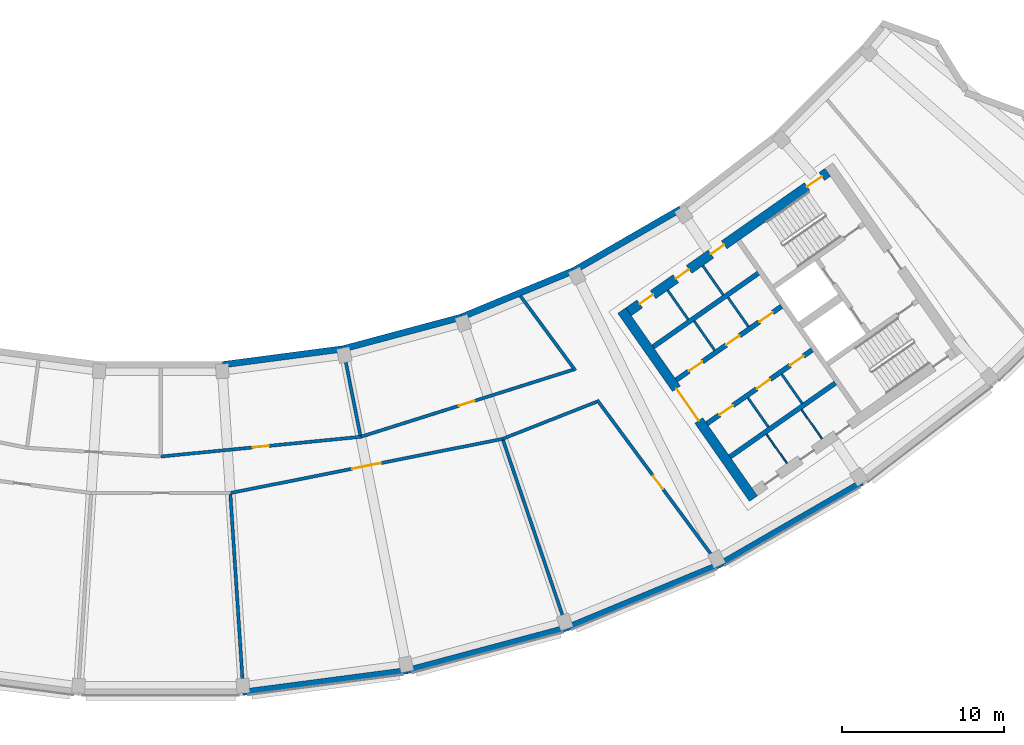
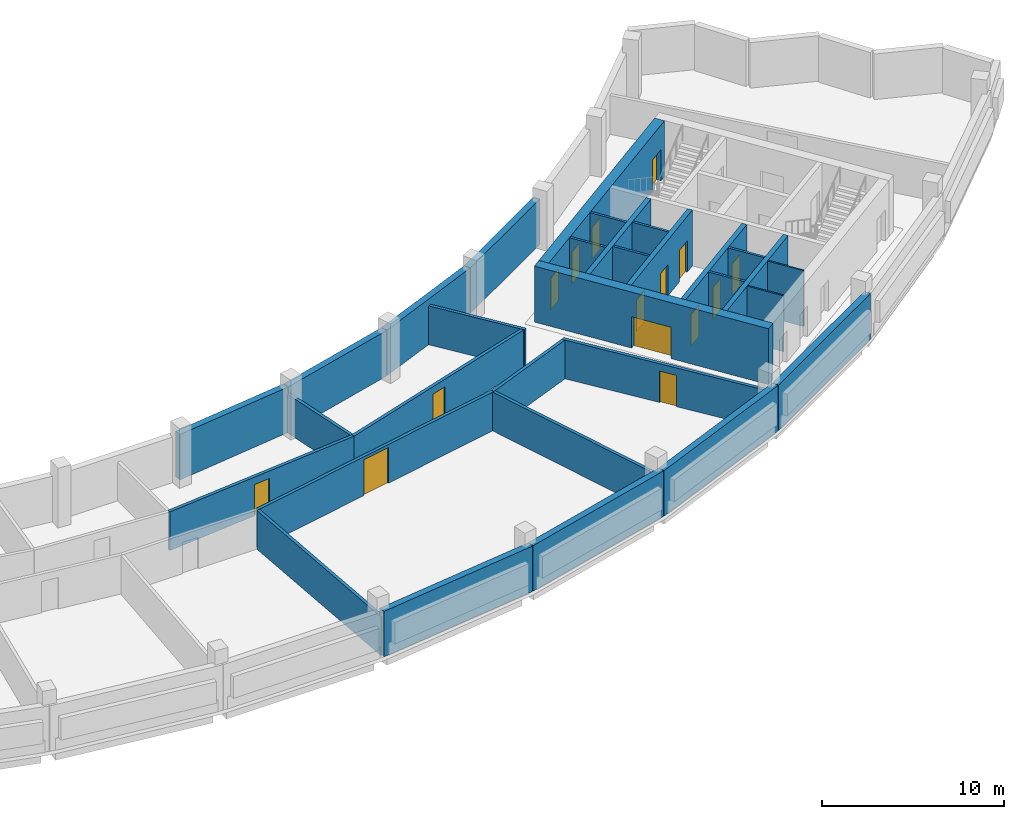
# One storey, part 5 of 11: 31 walls, 15 doors, 15 openings.
"""IFC4 building model written with IfcOpenShell, lengths in metres."""

from ifc_helpers import new_model, si_unit, direction, frame, frame_2d, origin, place, context, subcontext, project, spatial, rectangle, extrude, material, layer, layer_set, type_object, element, fill, save


model = new_model("IFC4")

# Units and contexts
model_context = context("Model", 3, precision=1e-05, world=origin(), true_north=direction((0.0, 1.0)))
body_context = subcontext(model_context, "Body", "Model", "MODEL_VIEW")
ifc_project = project(units=[si_unit("LENGTHUNIT", "METRE"), si_unit("AREAUNIT", "SQUARE_METRE"), si_unit("VOLUMEUNIT", "CUBIC_METRE"), si_unit("PLANEANGLEUNIT", "RADIAN"), si_unit("MASSUNIT", "GRAM", prefix="KILO")], contexts=[model_context])

# Site, building, storey
site_placement = place(None, origin())
site = spatial("IfcSite", under=ifc_project, at=site_placement, CompositionType="ELEMENT")
building_placement = place(site_placement, origin())
building = spatial("IfcBuilding", under=site, at=building_placement, Name="Qamariyya Broadcast Tower", CompositionType="ELEMENT")
storey_placement = place(building_placement, frame((0.0, 0.0, 314.699951171875)))
storey = spatial("IfcBuildingStorey", under=building, at=storey_placement, Name="L76", CompositionType="ELEMENT", Elevation=314.699951171875)

# Wall, opening, door
ifc_material_1 = material(Name="Concrete C60/75", Category="concrete")
ifc_layer_1 = layer(ifc_material_1, 0.60009765625)
ifc_layer_set_1 = layer_set([ifc_layer_1], Name="Core wall 600 mm Concrete C60/75")
wall_type_1 = type_object("IfcWallType", Name="Core wall 600 mm Concrete C60/75", PredefinedType="SHEAR", material=ifc_layer_set_1)
wall_1_placement = place(storey_placement, frame((36.66748046875, -66.005126953125, 0.0), z_axis=(0.0, 0.0, 1.0), x_axis=(-0.573568499524, 0.819157601658, 0.0)))
wall_1 = element("IfcWall", 1, at=wall_1_placement, inside=storey, type_object=wall_type_1, Name="k-E-L76-WA", PredefinedType="SHEAR", context=body_context, shape_type="SweptSolid", body=[
    extrude(rectangle(XDim=14.19970703125, YDim=0.60009765625, at=frame_2d((7.099853515625, 0.0))), origin(), (0.0, 0.0, 1.0), 3.75),
])
opening_1_placement = place(wall_1_placement, frame((5.89990234375, 0.0, 0.0)))
opening_1 = element("IfcOpeningElement", 2, at=opening_1_placement, cuts=wall_1, Name="Opening KD3-E1", PredefinedType="OPENING", context=body_context, shape_type="SweptSolid", body=[
    extrude(rectangle(XDim=2.39990234375, YDim=2.10009765625, at=frame_2d((1.199951171875, 1.050048828125))), frame((0.0, 0.31005859375, 0.0), z_axis=(0.0, -1.0, 0.0), x_axis=(1.0, 0.0, 0.0)), (0.0, 0.0, 1.0), 0.6201171875),
])
ifc_material_2 = material(Name="Steel fire-resisting door leaf", Category="steel")
door_type_1 = type_object("IfcDoorType", Name="Lift lobby door KD3", OperationType="DOUBLE_DOOR_SINGLE_SWING", PredefinedType="DOOR", material=ifc_material_2)
door_1_placement = place(opening_1_placement, origin())
door_1 = element("IfcDoor", 3, at=door_1_placement, inside=storey, type_object=door_type_1, Name="k-E-L76-WA-D1", OperationType="DOUBLE_DOOR_SINGLE_SWING", OverallHeight=2.10009765625, OverallWidth=2.39990234375, PredefinedType="DOOR", context=body_context, shape_type="SweptSolid", body=[
    extrude(rectangle(XDim=2.39990234375, YDim=2.10009765625, at=frame_2d((1.199951171875, 1.050048828125))), frame((0.0, 0.02490234375, 0.0), z_axis=(0.0, -1.0, 0.0), x_axis=(1.0, 0.0, 0.0)), (0.0, 0.0, 1.0), 0.050048828125),
])
fill(opening_1, door_1)

# Wall, openings, doors
wall_2_placement = place(storey_placement, frame((28.940673828125, -54.447021484375, 0.0), z_axis=(0.0, 0.0, 1.0), x_axis=(0.819153391756, 0.573574511963, 0.0)))
wall_2 = element("IfcWall", 4, at=wall_2_placement, inside=storey, type_object=wall_type_1, Name="k-E-L76-WI", PredefinedType="SHEAR", context=body_context, shape_type="SweptSolid", body=[
    extrude(rectangle(XDim=15.04541015625, YDim=0.60009765625, at=frame_2d((7.522705078125, 0.0))), origin(), (0.0, 0.0, 1.0), 3.75),
])
opening_2_placement = place(wall_2_placement, frame((0.85009765625, 0.0, 0.0)))
opening_2 = element("IfcOpeningElement", 5, at=opening_2_placement, cuts=wall_2, Name="Opening KD4-E7", PredefinedType="OPENING", context=body_context, shape_type="SweptSolid", body=[
    extrude(rectangle(XDim=1.0, YDim=2.10009765625, at=frame_2d((0.5, 1.050048828125))), frame((0.0, 0.31005859375, 0.0), z_axis=(0.0, -1.0, 0.0), x_axis=(1.0, 0.0, 0.0)), (0.0, 0.0, 1.0), 0.6201171875),
])
opening_3_placement = place(wall_2_placement, frame((3.574951171875, 0.0, 0.0)))
opening_3 = element("IfcOpeningElement", 6, at=opening_3_placement, cuts=wall_2, Name="Opening KD4-E8", PredefinedType="OPENING", context=body_context, shape_type="SweptSolid", body=[
    extrude(rectangle(XDim=1.0, YDim=2.10009765625, at=frame_2d((0.5, 1.050048828125))), frame((0.0, 0.31005859375, 0.0), z_axis=(0.0, -1.0, 0.0), x_axis=(1.0, 0.0, 0.0)), (0.0, 0.0, 1.0), 0.6201171875),
])
opening_4_placement = place(wall_2_placement, frame((6.22509765625, 0.0, 0.0)))
opening_4 = element("IfcOpeningElement", 7, at=opening_4_placement, cuts=wall_2, Name="Opening KD4-E9", PredefinedType="OPENING", context=body_context, shape_type="SweptSolid", body=[
    extrude(rectangle(XDim=1.0, YDim=2.10009765625, at=frame_2d((0.5, 1.050048828125))), frame((0.0, 0.31005859375, 0.0), z_axis=(0.0, -1.0, 0.0), x_axis=(1.0, 0.0, 0.0)), (0.0, 0.0, 1.0), 0.6201171875),
])
opening_5_placement = place(wall_2_placement, frame((13.495361328125, 0.0, 0.0)))
opening_5 = element("IfcOpeningElement", 8, at=opening_5_placement, cuts=wall_2, Name="Opening KD1-E1", PredefinedType="OPENING", context=body_context, shape_type="SweptSolid", body=[
    extrude(rectangle(XDim=1.10009765625, YDim=2.10009765625, at=frame_2d((0.550048828125, 1.050048828125))), frame((0.0, 0.31005859375, 0.0), z_axis=(0.0, -1.0, 0.0), x_axis=(1.0, 0.0, 0.0)), (0.0, 0.0, 1.0), 0.6201171875),
])
door_type_2 = type_object("IfcDoorType", Name="Riser and plant door KD4", OperationType="SINGLE_SWING_LEFT", PredefinedType="DOOR", material=ifc_material_2)
door_2_placement = place(opening_2_placement, origin())
door_2 = element("IfcDoor", 9, at=door_2_placement, inside=storey, type_object=door_type_2, Name="k-E-L76-WI-D8", OperationType="SINGLE_SWING_RIGHT", OverallHeight=2.10009765625, OverallWidth=1.0, PredefinedType="DOOR", context=body_context, shape_type="SweptSolid", body=[
    extrude(rectangle(XDim=1.0, YDim=2.10009765625, at=frame_2d((0.5, 1.050048828125))), frame((0.0, 0.02490234375, 0.0), z_axis=(0.0, -1.0, 0.0), x_axis=(1.0, 0.0, 0.0)), (0.0, 0.0, 1.0), 0.050048828125),
])
fill(opening_2, door_2)
door_3_placement = place(opening_3_placement, origin())
door_3 = element("IfcDoor", 10, at=door_3_placement, inside=storey, type_object=door_type_2, Name="k-E-L76-WI-D9", OperationType="SINGLE_SWING_LEFT", OverallHeight=2.10009765625, OverallWidth=1.0, PredefinedType="DOOR", context=body_context, shape_type="SweptSolid", body=[
    extrude(rectangle(XDim=1.0, YDim=2.10009765625, at=frame_2d((0.5, 1.050048828125))), frame((0.0, 0.02490234375, 0.0), z_axis=(0.0, -1.0, 0.0), x_axis=(1.0, 0.0, 0.0)), (0.0, 0.0, 1.0), 0.050048828125),
])
fill(opening_3, door_3)
door_4_placement = place(opening_4_placement, origin())
door_4 = element("IfcDoor", 11, at=door_4_placement, inside=storey, type_object=door_type_2, Name="k-E-L76-WI-D10", OperationType="SINGLE_SWING_RIGHT", OverallHeight=2.10009765625, OverallWidth=1.0, PredefinedType="DOOR", context=body_context, shape_type="SweptSolid", body=[
    extrude(rectangle(XDim=1.0, YDim=2.10009765625, at=frame_2d((0.5, 1.050048828125))), frame((0.0, 0.02490234375, 0.0), z_axis=(0.0, -1.0, 0.0), x_axis=(1.0, 0.0, 0.0)), (0.0, 0.0, 1.0), 0.050048828125),
])
fill(opening_4, door_4)
door_type_3 = type_object("IfcDoorType", Name="Stair door KD1", OperationType="SINGLE_SWING_LEFT", PredefinedType="DOOR", material=ifc_material_2)
door_5_placement = place(opening_5_placement, origin())
door_5 = element("IfcDoor", 12, at=door_5_placement, inside=storey, type_object=door_type_3, Name="k-E-L76-WI-D17", OperationType="SINGLE_SWING_RIGHT", OverallHeight=2.10009765625, OverallWidth=1.10009765625, PredefinedType="DOOR", context=body_context, shape_type="SweptSolid", body=[
    extrude(rectangle(XDim=1.10009765625, YDim=2.10009765625, at=frame_2d((0.550048828125, 1.050048828125))), frame((0.0, 0.02490234375, 0.0), z_axis=(0.0, -1.0, 0.0), x_axis=(1.0, 0.0, 0.0)), (0.0, 0.0, 1.0), 0.050048828125),
])
fill(opening_5, door_5)

# Walls
ifc_material_3 = material(Name="Gypsum board partition on steel studs", Category="steel")
ifc_layer_2 = layer(ifc_material_3, 0.14990234375)
ifc_layer_set_2 = layer_set([ifc_layer_2], Name="Gypsum board partition 150 mm")
wall_type_2 = type_object("IfcWallType", Name="Gypsum board partition 150 mm", PredefinedType="PARTITIONING", material=ifc_layer_set_2)
for number, where, z_axis, x_axis, name in (
    (13, (34.26611328125, -56.822021484375, 0.0), (0.0, 0.0, 1.0), (-0.573581496053, 0.819148501424, 0.0), "k-E-L76-NC300"),
    (14, (36.35498046875, -55.359375, 0.0), (0.0, 0.0, 1.0), (-0.573581496053, 0.819148501424, 0.0), "k-E-L76-NC555"),
):
    element("IfcWall", number, at=place(storey_placement, frame(where, z_axis=z_axis, x_axis=x_axis)), inside=storey, type_object=wall_type_2, Name=name, PredefinedType="PARTITIONING", context=body_context, shape_type="SweptSolid", body=[
        extrude(rectangle(XDim=2.2001953125, YDim=0.14990234375, at=frame_2d((1.10009765625, 0.0))), origin(), (0.0, 0.0, 1.0), 3.75),
    ])
for number, where, z_axis, x_axis, name in (
    (15, (36.330810546875, -59.77099609375, 0.0), (0.0, 0.0, 1.0), (0.573633636671, -0.819111989218, 0.0), "k-E-L76-SC300"),
    (16, (38.419677734375, -58.308349609375, 0.0), (0.0, 0.0, 1.0), (0.573633636671, -0.819111989218, 0.0), "k-E-L76-SC555"),
    (17, (32.627197265625, -54.91748046875, 0.0), (0.0, 0.0, 1.0), (-0.573507030513, 0.819200638399, 0.0), "k-E-L76-NP275"),
    (18, (34.798095703125, -53.3974609375, 0.0), (0.0, 0.0, 1.0), (-0.573633636671, 0.819111989218, 0.0), "k-E-L76-NP540"),
):
    element("IfcWall", number, at=place(storey_placement, frame(where, z_axis=z_axis, x_axis=x_axis)), inside=storey, type_object=wall_type_2, Name=name, PredefinedType="PARTITIONING", context=body_context, shape_type="SweptSolid", body=[
        extrude(rectangle(XDim=2.199951171875, YDim=0.14990234375, at=frame_2d((1.10009765625, 0.0))), origin(), (0.0, 0.0, 1.0), 3.75),
    ])

# Wall, openings, doors
ifc_layer_3 = layer(ifc_material_1, 0.300048828125)
ifc_layer_set_3 = layer_set([ifc_layer_3], Name="Lift shaft wall 300 mm Concrete C60/75")
wall_type_3 = type_object("IfcWallType", Name="Lift shaft wall 300 mm Concrete C60/75", PredefinedType="SOLIDWALL", material=ifc_layer_set_3)
wall_3_placement = place(storey_placement, frame((31.89453125, -58.66552734375, 0.0), z_axis=(0.0, 0.0, 1.0), x_axis=(0.819166993208, 0.573555086491, 0.0)))
wall_3 = element("IfcWall", 19, at=wall_3_placement, inside=storey, type_object=wall_type_3, Name="k-E-L76-NF0", PredefinedType="SOLIDWALL", context=body_context, shape_type="SweptSolid", body=[
    extrude(rectangle(XDim=7.9501953125, YDim=0.300048828125, at=frame_2d((3.97509765625, 0.0))), origin(), (0.0, 0.0, 1.0), 3.75),
])
opening_6_placement = place(wall_3_placement, frame((0.96240234375, 0.0, 0.0)))
opening_6 = element("IfcOpeningElement", 20, at=opening_6_placement, cuts=wall_3, Name="Opening KD4-E1", PredefinedType="OPENING", context=body_context, shape_type="SweptSolid", body=[
    extrude(rectangle(XDim=1.0, YDim=2.10009765625, at=frame_2d((0.5, 1.050048828125))), frame((0.0, 0.159912109375, 0.0), z_axis=(0.0, -1.0, 0.0), x_axis=(1.0, 0.0, 0.0)), (0.0, 0.0, 1.0), 0.320068359375),
])
opening_7_placement = place(wall_3_placement, frame((3.77490234375, 0.0, 0.0)))
opening_7 = element("IfcOpeningElement", 21, at=opening_7_placement, cuts=wall_3, Name="Opening KD4-E2", PredefinedType="OPENING", context=body_context, shape_type="SweptSolid", body=[
    extrude(rectangle(XDim=1.0, YDim=2.10009765625, at=frame_2d((0.5, 1.050048828125))), frame((0.0, 0.159912109375, 0.0), z_axis=(0.0, -1.0, 0.0), x_axis=(1.0, 0.0, 0.0)), (0.0, 0.0, 1.0), 0.320068359375),
])
opening_8_placement = place(wall_3_placement, frame((6.28759765625, 0.0, 0.0)))
opening_8 = element("IfcOpeningElement", 22, at=opening_8_placement, cuts=wall_3, Name="Opening KD4-E3", PredefinedType="OPENING", context=body_context, shape_type="SweptSolid", body=[
    extrude(rectangle(XDim=1.0, YDim=2.10009765625, at=frame_2d((0.5, 1.050048828125))), frame((0.0, 0.159912109375, 0.0), z_axis=(0.0, -1.0, 0.0), x_axis=(1.0, 0.0, 0.0)), (0.0, 0.0, 1.0), 0.320068359375),
])
door_6_placement = place(opening_6_placement, origin())
door_6 = element("IfcDoor", 23, at=door_6_placement, inside=storey, type_object=door_type_2, Name="k-E-L76-NF0-D2", OperationType="SINGLE_SWING_RIGHT", OverallHeight=2.10009765625, OverallWidth=1.0, PredefinedType="DOOR", context=body_context, shape_type="SweptSolid", body=[
    extrude(rectangle(XDim=1.0, YDim=2.10009765625, at=frame_2d((0.5, 1.050048828125))), frame((0.0, 0.02490234375, 0.0), z_axis=(0.0, -1.0, 0.0), x_axis=(1.0, 0.0, 0.0)), (0.0, 0.0, 1.0), 0.050048828125),
])
fill(opening_6, door_6)
door_7_placement = place(opening_7_placement, origin())
door_7 = element("IfcDoor", 24, at=door_7_placement, inside=storey, type_object=door_type_2, Name="k-E-L76-NF0-D3", OperationType="SINGLE_SWING_LEFT", OverallHeight=2.10009765625, OverallWidth=1.0, PredefinedType="DOOR", context=body_context, shape_type="SweptSolid", body=[
    extrude(rectangle(XDim=1.0, YDim=2.10009765625, at=frame_2d((0.5, 1.050048828125))), frame((0.0, 0.02490234375, 0.0), z_axis=(0.0, -1.0, 0.0), x_axis=(1.0, 0.0, 0.0)), (0.0, 0.0, 1.0), 0.050048828125),
])
fill(opening_7, door_7)
door_8_placement = place(opening_8_placement, origin())
door_8 = element("IfcDoor", 25, at=door_8_placement, inside=storey, type_object=door_type_2, Name="k-E-L76-NF0-D4", OperationType="SINGLE_SWING_RIGHT", OverallHeight=2.10009765625, OverallWidth=1.0, PredefinedType="DOOR", context=body_context, shape_type="SweptSolid", body=[
    extrude(rectangle(XDim=1.0, YDim=2.10009765625, at=frame_2d((0.5, 1.050048828125))), frame((0.0, 0.02490234375, 0.0), z_axis=(0.0, -1.0, 0.0), x_axis=(1.0, 0.0, 0.0)), (0.0, 0.0, 1.0), 0.050048828125),
])
fill(opening_8, door_8)

# Wall
wall_4_placement = place(storey_placement, frame((30.460693359375, -56.61767578125, 0.0), z_axis=(0.0, 0.0, 1.0), x_axis=(0.819142461705, 0.573590121456, 0.0)))
element("IfcWall", 26, at=wall_4_placement, inside=storey, type_object=wall_type_3, Name="k-E-L76-NB0", PredefinedType="SOLIDWALL", context=body_context, shape_type="SweptSolid", body=[
    extrude(rectangle(XDim=7.949951171875, YDim=0.300048828125, at=frame_2d((3.97509765625, 0.0))), origin(), (0.0, 0.0, 1.0), 3.75),
])

# Wall, openings, doors
wall_5_placement = place(storey_placement, frame((33.787353515625, -61.368896484375, 0.0), z_axis=(0.0, 0.0, 1.0), x_axis=(0.819152564888, 0.573575692858, 0.0)))
wall_5 = element("IfcWall", 27, at=wall_5_placement, inside=storey, type_object=wall_type_3, Name="k-E-L76-SF0", PredefinedType="SOLIDWALL", context=body_context, shape_type="SweptSolid", body=[
    extrude(rectangle(XDim=7.9501953125, YDim=0.300048828125, at=frame_2d((3.97509765625, 0.0))), origin(), (0.0, 0.0, 1.0), 3.75),
])
opening_9_placement = place(wall_5_placement, frame((0.96240234375, 0.0, 0.0)))
opening_9 = element("IfcOpeningElement", 28, at=opening_9_placement, cuts=wall_5, Name="Opening KD4-E4", PredefinedType="OPENING", context=body_context, shape_type="SweptSolid", body=[
    extrude(rectangle(XDim=1.0, YDim=2.10009765625, at=frame_2d((0.5, 1.050048828125))), frame((0.0, 0.159912109375, 0.0), z_axis=(0.0, -1.0, 0.0), x_axis=(1.0, 0.0, 0.0)), (0.0, 0.0, 1.0), 0.320068359375),
])
opening_10_placement = place(wall_5_placement, frame((3.77490234375, 0.0, 0.0)))
opening_10 = element("IfcOpeningElement", 29, at=opening_10_placement, cuts=wall_5, Name="Opening KD4-E5", PredefinedType="OPENING", context=body_context, shape_type="SweptSolid", body=[
    extrude(rectangle(XDim=1.0, YDim=2.10009765625, at=frame_2d((0.5, 1.050048828125))), frame((0.0, 0.159912109375, 0.0), z_axis=(0.0, -1.0, 0.0), x_axis=(1.0, 0.0, 0.0)), (0.0, 0.0, 1.0), 0.320068359375),
])
opening_11_placement = place(wall_5_placement, frame((6.28759765625, 0.0, 0.0)))
opening_11 = element("IfcOpeningElement", 30, at=opening_11_placement, cuts=wall_5, Name="Opening KD4-E6", PredefinedType="OPENING", context=body_context, shape_type="SweptSolid", body=[
    extrude(rectangle(XDim=1.0, YDim=2.10009765625, at=frame_2d((0.5, 1.050048828125))), frame((0.0, 0.159912109375, 0.0), z_axis=(0.0, -1.0, 0.0), x_axis=(1.0, 0.0, 0.0)), (0.0, 0.0, 1.0), 0.320068359375),
])
door_9_placement = place(opening_9_placement, origin())
door_9 = element("IfcDoor", 31, at=door_9_placement, inside=storey, type_object=door_type_2, Name="k-E-L76-SF0-D5", OperationType="SINGLE_SWING_LEFT", OverallHeight=2.10009765625, OverallWidth=1.0, PredefinedType="DOOR", context=body_context, shape_type="SweptSolid", body=[
    extrude(rectangle(XDim=1.0, YDim=2.10009765625, at=frame_2d((0.5, 1.050048828125))), frame((0.0, 0.02490234375, 0.0), z_axis=(0.0, -1.0, 0.0), x_axis=(1.0, 0.0, 0.0)), (0.0, 0.0, 1.0), 0.050048828125),
])
fill(opening_9, door_9)
door_10_placement = place(opening_10_placement, origin())
door_10 = element("IfcDoor", 32, at=door_10_placement, inside=storey, type_object=door_type_2, Name="k-E-L76-SF0-D6", OperationType="SINGLE_SWING_RIGHT", OverallHeight=2.10009765625, OverallWidth=1.0, PredefinedType="DOOR", context=body_context, shape_type="SweptSolid", body=[
    extrude(rectangle(XDim=1.0, YDim=2.10009765625, at=frame_2d((0.5, 1.050048828125))), frame((0.0, 0.02490234375, 0.0), z_axis=(0.0, -1.0, 0.0), x_axis=(1.0, 0.0, 0.0)), (0.0, 0.0, 1.0), 0.050048828125),
])
fill(opening_10, door_10)
door_11_placement = place(opening_11_placement, origin())
door_11 = element("IfcDoor", 33, at=door_11_placement, inside=storey, type_object=door_type_2, Name="k-E-L76-SF0-D7", OperationType="SINGLE_SWING_LEFT", OverallHeight=2.10009765625, OverallWidth=1.0, PredefinedType="DOOR", context=body_context, shape_type="SweptSolid", body=[
    extrude(rectangle(XDim=1.0, YDim=2.10009765625, at=frame_2d((0.5, 1.050048828125))), frame((0.0, 0.02490234375, 0.0), z_axis=(0.0, -1.0, 0.0), x_axis=(1.0, 0.0, 0.0)), (0.0, 0.0, 1.0), 0.050048828125),
])
fill(opening_11, door_11)

# Wall
wall_6_placement = place(storey_placement, frame((35.22119140625, -63.41650390625, 0.0), z_axis=(0.0, 0.0, 1.0), x_axis=(0.819166993208, 0.573555086491, 0.0)))
element("IfcWall", 34, at=wall_6_placement, inside=storey, type_object=wall_type_3, Name="k-E-L76-SB0", PredefinedType="SOLIDWALL", context=body_context, shape_type="SweptSolid", body=[
    extrude(rectangle(XDim=7.9501953125, YDim=0.300048828125, at=frame_2d((3.97509765625, 0.0))), origin(), (0.0, 0.0, 1.0), 3.75),
])

# Wall, opening, door
ifc_material_4 = material(Name="Masonry block wall", Category="masonry")
ifc_layer_4 = layer(ifc_material_4, 0.199951171875)
ifc_layer_set_4 = layer_set([ifc_layer_4], Name="Plant room wall 200 EI 120")
wall_type_4 = type_object("IfcWallType", Name="Plant room wall 200 EI 120", PredefinedType="PARTITIONING", material=ifc_layer_set_4)
wall_7_placement = place(storey_placement, frame((0.0, -63.39990234375, 0.0), z_axis=(0.0, 0.0, 1.0), x_axis=(0.995186204818, 0.098002131298, 0.0)))
wall_7 = element("IfcWall", 35, at=wall_7_placement, inside=storey, type_object=wall_type_4, Name="Partition L76-016", PredefinedType="PARTITIONING", context=body_context, shape_type="SweptSolid", body=[
    extrude(rectangle(XDim=12.428466796875, YDim=0.199951171875, at=frame_2d((6.21435546875, 0.0))), origin(), (0.0, 0.0, 1.0), 2.60009765625),
])
opening_12_placement = place(wall_7_placement, frame((5.71435546875, 0.0, 0.0)))
opening_12 = element("IfcOpeningElement", 36, at=opening_12_placement, cuts=wall_7, Name="Opening L76-D10", PredefinedType="OPENING", context=body_context, shape_type="SweptSolid", body=[
    extrude(rectangle(XDim=1.0, YDim=2.10009765625, at=frame_2d((0.5, 1.050048828125))), frame((0.0, 0.10986328125, 0.0), z_axis=(0.0, -1.0, 0.0), x_axis=(1.0, 0.0, 0.0)), (0.0, 0.0, 1.0), 0.219970703125),
])
ifc_material_5 = material(Name="Insulated metal door leaf")
door_type_4 = type_object("IfcDoorType", Name="Plant door 1000 x 2100 FD120", OperationType="NOTDEFINED", PredefinedType="DOOR", material=ifc_material_5)
door_12_placement = place(opening_12_placement, origin())
door_12 = element("IfcDoor", 37, at=door_12_placement, inside=storey, type_object=door_type_4, Name="Door L76-D10", OperationType="SINGLE_SWING_RIGHT", OverallHeight=2.10009765625, OverallWidth=1.0, PredefinedType="DOOR", context=body_context, shape_type="SweptSolid", body=[
    extrude(rectangle(XDim=1.0, YDim=2.10009765625, at=frame_2d((0.5, 1.050048828125))), frame((0.0, 0.02490234375, 0.0), z_axis=(0.0, -1.0, 0.0), x_axis=(1.0, 0.0, 0.0)), (0.0, 0.0, 1.0), 0.050048828125),
])
fill(opening_12, door_12)

wall_8_placement = place(storey_placement, frame((21.150634765625, -62.30810546875, 0.0), z_axis=(0.0, 0.0, 1.0), x_axis=(-0.980785679695, -0.195088314632, 0.0)))
wall_8 = element("IfcWall", 38, at=wall_8_placement, inside=storey, type_object=wall_type_4, Name="Partition L76-018", PredefinedType="PARTITIONING", context=body_context, shape_type="SweptSolid", body=[
    extrude(rectangle(XDim=17.17724609375, YDim=0.199951171875, at=frame_2d((8.588623046875, 0.0))), origin(), (0.0, 0.0, 1.0), 2.60009765625),
])
opening_13_placement = place(wall_8_placement, frame((7.688720703125, 0.0, 0.0)))
opening_13 = element("IfcOpeningElement", 39, at=opening_13_placement, cuts=wall_8, Name="Opening L76-D05", PredefinedType="OPENING", context=body_context, shape_type="SweptSolid", body=[
    extrude(rectangle(XDim=1.800048828125, YDim=2.39990234375, at=frame_2d((0.89990234375, 1.199951171875))), frame((0.0, 0.10986328125, 0.0), z_axis=(0.0, -1.0, 0.0), x_axis=(1.0, 0.0, 0.0)), (0.0, 0.0, 1.0), 0.219970703125),
])
door_type_5 = type_object("IfcDoorType", Name="Plant double door 1800 x 2400 FD120", OperationType="NOTDEFINED", PredefinedType="DOOR", material=ifc_material_5)
door_13_placement = place(opening_13_placement, origin())
door_13 = element("IfcDoor", 40, at=door_13_placement, inside=storey, type_object=door_type_5, Name="Door L76-D05", OperationType="DOUBLE_DOOR_SINGLE_SWING", OverallHeight=2.39990234375, OverallWidth=1.800048828125, PredefinedType="DOOR", context=body_context, shape_type="SweptSolid", body=[
    extrude(rectangle(XDim=1.800048828125, YDim=2.39990234375, at=frame_2d((0.89990234375, 1.199951171875))), frame((0.0, 0.02490234375, 0.0), z_axis=(0.0, -1.0, 0.0), x_axis=(1.0, 0.0, 0.0)), (0.0, 0.0, 1.0), 0.050048828125),
])
fill(opening_13, door_13)

# Walls
wall_9_placement = place(storey_placement, frame((5.111328125, -77.982666015625, 0.0), z_axis=(0.0, 0.0, 1.0), x_axis=(-0.065409169082, 0.997858527347, 0.0)))
element("IfcWall", 41, at=wall_9_placement, inside=storey, type_object=wall_type_4, Name="Partition L76-019", PredefinedType="PARTITIONING", context=body_context, shape_type="SweptSolid", body=[
    extrude(rectangle(XDim=12.25, YDim=0.199951171875, at=frame_2d((6.125, 0.0))), origin(), (0.0, 0.0, 1.0), 2.60009765625),
])
wall_10_placement = place(storey_placement, frame((11.324951171875, -56.9345703125, 0.0), z_axis=(0.0, 0.0, 1.0), x_axis=(0.195078658365, -0.980787600376, 0.0)))
element("IfcWall", 42, at=wall_10_placement, inside=storey, type_object=wall_type_4, Name="Partition L76-020", PredefinedType="PARTITIONING", context=body_context, shape_type="SweptSolid", body=[
    extrude(rectangle(XDim=5.25, YDim=0.199951171875, at=frame_2d((2.625, 0.0))), origin(), (0.0, 0.0, 1.0), 2.60009765625),
])

# Wall, opening, door
wall_11_placement = place(storey_placement, frame((12.36865234375, -62.181884765625, 0.0), z_axis=(0.0, 0.0, 1.0), x_axis=(0.953549709751, 0.301235706772, 0.0)))
wall_11 = element("IfcWall", 43, at=wall_11_placement, inside=storey, type_object=wall_type_4, Name="Partition L76-021", PredefinedType="PARTITIONING", context=body_context, shape_type="SweptSolid", body=[
    extrude(rectangle(XDim=13.77392578125, YDim=0.199951171875, at=frame_2d((6.886962890625, 0.0))), origin(), (0.0, 0.0, 1.0), 2.60009765625),
])
opening_14_placement = place(wall_11_placement, frame((6.386962890625, 0.0, 0.0)))
opening_14 = element("IfcOpeningElement", 44, at=opening_14_placement, cuts=wall_11, Name="Opening L76-D11", PredefinedType="OPENING", context=body_context, shape_type="SweptSolid", body=[
    extrude(rectangle(XDim=1.0, YDim=2.10009765625, at=frame_2d((0.5, 1.050048828125))), frame((0.0, 0.10986328125, 0.0), z_axis=(0.0, -1.0, 0.0), x_axis=(1.0, 0.0, 0.0)), (0.0, 0.0, 1.0), 0.219970703125),
])
door_14_placement = place(opening_14_placement, origin())
door_14 = element("IfcDoor", 45, at=door_14_placement, inside=storey, type_object=door_type_4, Name="Door L76-D11", OperationType="SINGLE_SWING_RIGHT", OverallHeight=2.10009765625, OverallWidth=1.0, PredefinedType="DOOR", context=body_context, shape_type="SweptSolid", body=[
    extrude(rectangle(XDim=1.0, YDim=2.10009765625, at=frame_2d((0.5, 1.050048828125))), frame((0.0, 0.02490234375, 0.0), z_axis=(0.0, -1.0, 0.0), x_axis=(1.0, 0.0, 0.0)), (0.0, 0.0, 1.0), 0.050048828125),
])
fill(opening_14, door_14)

# Walls
wall_12_placement = place(storey_placement, frame((21.150634765625, -62.30810546875, 0.0), z_axis=(0.0, 0.0, 1.0), x_axis=(0.930313487961, 0.366765339309, 0.0)))
element("IfcWall", 46, at=wall_12_placement, inside=storey, type_object=wall_type_4, Name="Partition L76-022", PredefinedType="PARTITIONING", context=body_context, shape_type="SweptSolid", body=[
    extrude(rectangle(XDim=6.249267578125, YDim=0.199951171875, at=frame_2d((3.12451171875, 0.0))), origin(), (0.0, 0.0, 1.0), 2.60009765625),
])
wall_13_placement = place(storey_placement, frame((22.251953125, -53.469482421875, 0.0), z_axis=(0.0, 0.0, 1.0), x_axis=(0.593885763016, -0.804549377283, 0.0)))
element("IfcWall", 47, at=wall_13_placement, inside=storey, type_object=wall_type_4, Name="Partition L76-023", PredefinedType="PARTITIONING", context=body_context, shape_type="SweptSolid", body=[
    extrude(rectangle(XDim=5.734375, YDim=0.199951171875, at=frame_2d((2.8671875, 0.0))), origin(), (0.0, 0.0, 1.0), 2.60009765625),
])
wall_14_placement = place(storey_placement, frame((25.12060546875, -74.002685546875, 0.0), z_axis=(0.0, 0.0, 1.0), x_axis=(-0.321442509406, 0.946929096156, 0.0)))
element("IfcWall", 48, at=wall_14_placement, inside=storey, type_object=wall_type_4, Name="Partition L76-024", PredefinedType="PARTITIONING", context=body_context, shape_type="SweptSolid", body=[
    extrude(rectangle(XDim=12.250244140625, YDim=0.199951171875, at=frame_2d((6.125, 0.0))), origin(), (0.0, 0.0, 1.0), 2.60009765625),
])

# Wall, opening, door
wall_15_placement = place(storey_placement, frame((34.534423828125, -70.109130859375, 0.0), z_axis=(0.0, 0.0, 1.0), x_axis=(-0.593866233023, 0.804563793167, 0.0)))
wall_15 = element("IfcWall", 49, at=wall_15_placement, inside=storey, type_object=wall_type_4, Name="Partition L76-025", PredefinedType="PARTITIONING", context=body_context, shape_type="SweptSolid", body=[
    extrude(rectangle(XDim=12.6904296875, YDim=0.199951171875, at=frame_2d((6.34521484375, 0.0))), origin(), (0.0, 0.0, 1.0), 2.60009765625),
])
opening_15_placement = place(wall_15_placement, frame((5.84521484375, 0.0, 0.0)))
opening_15 = element("IfcOpeningElement", 50, at=opening_15_placement, cuts=wall_15, Name="Opening L76-D06", PredefinedType="OPENING", context=body_context, shape_type="SweptSolid", body=[
    extrude(rectangle(XDim=1.0, YDim=2.10009765625, at=frame_2d((0.5, 1.050048828125))), frame((0.0, 0.10986328125, 0.0), z_axis=(0.0, -1.0, 0.0), x_axis=(1.0, 0.0, 0.0)), (0.0, 0.0, 1.0), 0.219970703125),
])
door_15_placement = place(opening_15_placement, origin())
door_15 = element("IfcDoor", 51, at=door_15_placement, inside=storey, type_object=door_type_4, Name="Door L76-D06", OperationType="SINGLE_SWING_RIGHT", OverallHeight=2.10009765625, OverallWidth=1.0, PredefinedType="DOOR", context=body_context, shape_type="SweptSolid", body=[
    extrude(rectangle(XDim=1.0, YDim=2.10009765625, at=frame_2d((0.5, 1.050048828125))), frame((0.0, 0.02490234375, 0.0), z_axis=(0.0, -1.0, 0.0), x_axis=(1.0, 0.0, 0.0)), (0.0, 0.0, 1.0), 0.050048828125),
])
fill(opening_15, door_15)

# Walls
ifc_material_6 = material(Name="Fire-rated gypsum shaft liner on steel studs", Category="steel")
ifc_layer_5 = layer(ifc_material_6, 0.10009765625)
ifc_layer_set_5 = layer_set([ifc_layer_5], Name="Riser wall 100 mm")
wall_type_5 = type_object("IfcWallType", Name="Riser wall 100 mm", PredefinedType="PLUMBINGWALL", material=ifc_layer_set_5)
wall_16_placement = place(storey_placement, frame((37.47802734375, -62.01953125, 0.0), z_axis=(0.0, 0.0, 1.0), x_axis=(0.573581496053, -0.819148501424, 0.0)))
element("IfcWall", 52, at=wall_16_placement, inside=storey, type_object=wall_type_5, Name="k-E-L76-SP265", PredefinedType="PLUMBINGWALL", context=body_context, shape_type="SweptSolid", body=[
    extrude(rectangle(XDim=2.2001953125, YDim=0.10009765625, at=frame_2d((1.10009765625, 0.0))), origin(), (0.0, 0.0, 1.0), 3.75),
])
wall_17_placement = place(storey_placement, frame((39.64892578125, -60.49951171875, 0.0), z_axis=(0.0, 0.0, 1.0), x_axis=(0.573507030513, -0.819200638399, 0.0)))
element("IfcWall", 53, at=wall_17_placement, inside=storey, type_object=wall_type_5, Name="k-E-L76-SP530", PredefinedType="PLUMBINGWALL", context=body_context, shape_type="SweptSolid", body=[
    extrude(rectangle(XDim=2.199951171875, YDim=0.10009765625, at=frame_2d((1.10009765625, 0.0))), origin(), (0.0, 0.0, 1.0), 3.75),
])
ifc_material_7 = material(Name="Terracotta", Category="masonry")
ifc_layer_6 = layer(ifc_material_7, 0.39990234375)
ifc_layer_set_6 = layer_set([ifc_layer_6], Name="Solid terracotta louvred band wall 400")
wall_type_6 = type_object("IfcWallType", Name="Solid terracotta louvred band wall 400", PredefinedType="SOLIDWALL", material=ifc_layer_set_6)
wall_18_placement = place(storey_placement, frame((25.539794921875, -51.90380859375, 0.0), z_axis=(0.0, 0.0, 1.0), x_axis=(-0.923872151004, -0.382701252414, 0.0)))
element("IfcWall", 54, at=wall_18_placement, inside=storey, type_object=wall_type_6, Name="e-wl-L76-in100", PredefinedType="SOLIDWALL", context=body_context, shape_type="SweptSolid", body=[
    extrude(rectangle(XDim=7.4658203125, YDim=0.39990234375, at=frame_2d((3.73291015625, 0.0))), origin(), (0.0, 0.0, 1.0), 3.050048828125),
])
wall_19_placement = place(storey_placement, frame((32.16162109375, -48.08837890625, 0.0), z_axis=(0.0, 0.0, 1.0), x_axis=(-0.866025463095, -0.499999897272, 0.0)))
element("IfcWall", 55, at=wall_19_placement, inside=storey, type_object=wall_type_6, Name="e-wl-L76-in110", PredefinedType="SOLIDWALL", context=body_context, shape_type="SweptSolid", body=[
    extrude(rectangle(XDim=7.6171875, YDim=0.39990234375, at=frame_2d((3.80859375, 0.0))), origin(), (0.0, 0.0, 1.0), 3.050048828125),
])
wall_20_placement = place(storey_placement, frame((11.23583984375, -56.745361328125, 0.0), z_axis=(0.0, 0.0, 1.0), x_axis=(-0.991442493144, -0.130544179452, 0.0)))
element("IfcWall", 56, at=wall_20_placement, inside=storey, type_object=wall_type_6, Name="e-wl-L76-in80", PredefinedType="SOLIDWALL", context=body_context, shape_type="SweptSolid", body=[
    extrude(rectangle(XDim=7.4658203125, YDim=0.39990234375, at=frame_2d((3.73291015625, 0.0))), origin(), (0.0, 0.0, 1.0), 3.050048828125),
])
wall_21_placement = place(storey_placement, frame((18.61962890625, -54.77392578125, 0.0), z_axis=(0.0, 0.0, 1.0), x_axis=(-0.965927307138, -0.258813518437, 0.0)))
element("IfcWall", 57, at=wall_21_placement, inside=storey, type_object=wall_type_6, Name="e-wl-L76-in90", PredefinedType="SOLIDWALL", context=body_context, shape_type="SweptSolid", body=[
    extrude(rectangle(XDim=7.6171875, YDim=0.39990234375, at=frame_2d((3.80859375, 0.0))), origin(), (0.0, 0.0, 1.0), 3.050048828125),
])
wall_22_placement = place(storey_placement, frame((25.09716796875, -74.01171875, 0.0), z_axis=(0.0, 0.0, 1.0), x_axis=(0.923877211741, 0.382689035152, 0.0)))
element("IfcWall", 58, at=wall_22_placement, inside=storey, type_object=wall_type_6, Name="e-wl-L76-out100", PredefinedType="SOLIDWALL", context=body_context, shape_type="SweptSolid", body=[
    extrude(rectangle(XDim=10.2724609375, YDim=0.39990234375, at=frame_2d((5.13623046875, 0.0))), origin(), (0.0, 0.0, 1.0), 3.050048828125),
])
wall_23_placement = place(storey_placement, frame((34.608642578125, -70.06494140625, 0.0), z_axis=(0.0, 0.0, 1.0), x_axis=(0.866019679839, 0.500009914033, 0.0)))
element("IfcWall", 59, at=wall_23_placement, inside=storey, type_object=wall_type_6, Name="e-wl-L76-out110", PredefinedType="SOLIDWALL", context=body_context, shape_type="SweptSolid", body=[
    extrude(rectangle(XDim=10.120849609375, YDim=0.39990234375, at=frame_2d((5.060546875, 0.0))), origin(), (0.0, 0.0, 1.0), 3.050048828125),
])
wall_24_placement = place(storey_placement, frame((5.08642578125, -77.985595703125, 0.0), z_axis=(0.0, 0.0, 1.0), x_axis=(0.991444909321, 0.130525828027, 0.0)))
element("IfcWall", 60, at=wall_24_placement, inside=storey, type_object=wall_type_6, Name="e-wl-L76-out80", PredefinedType="SOLIDWALL", context=body_context, shape_type="SweptSolid", body=[
    extrude(rectangle(XDim=10.2724609375, YDim=0.39990234375, at=frame_2d((5.13623046875, 0.0))), origin(), (0.0, 0.0, 1.0), 3.050048828125),
])
wall_25_placement = place(storey_placement, frame((15.295166015625, -76.634765625, 0.0), z_axis=(0.0, 0.0, 1.0), x_axis=(0.965928778267, 0.258808027921, 0.0)))
element("IfcWall", 61, at=wall_25_placement, inside=storey, type_object=wall_type_6, Name="e-wl-L76-out90", PredefinedType="SOLIDWALL", context=body_context, shape_type="SweptSolid", body=[
    extrude(rectangle(XDim=10.120849609375, YDim=0.39990234375, at=frame_2d((5.060546875, 0.0))), origin(), (0.0, 0.0, 1.0), 3.050048828125),
])

save(model, "model.ifc")
